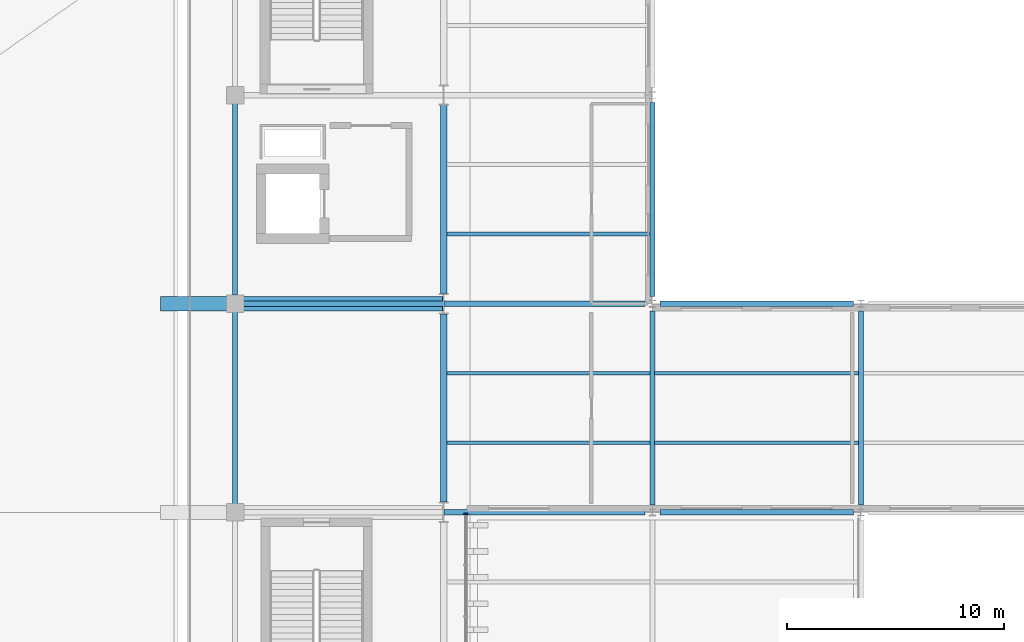
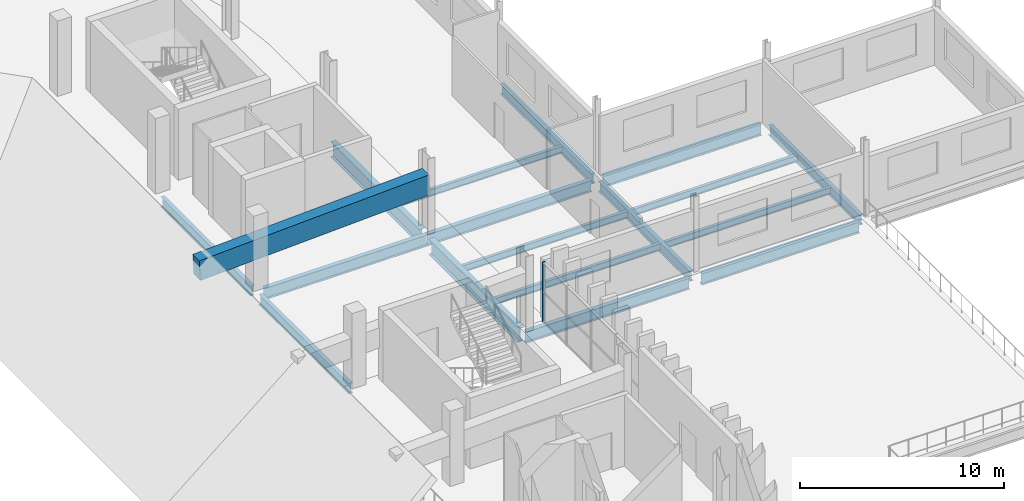
# One storey, part 23 of 69: 18 beams, 1 member, 1 element without a shape of its own.
"""IFC4 building model written with IfcOpenShell, lengths in metres."""

from ifc_helpers import new_model, si_unit, direction, frame, origin, origin_2d, place, context, subcontext, project, spatial, rectangle, i_section, extrude, material, layer, layer_set, material_profile, profile_set, type_object, element, aggregate, save


model = new_model("IFC4")

# Units and contexts
model_context = context("Model", 3, precision=1e-05, world=origin(), true_north=direction((0.0, 1.0)))
body_context = subcontext(model_context, "Body", "Model", "MODEL_VIEW")
ifc_project = project(units=[si_unit("LENGTHUNIT", "METRE"), si_unit("AREAUNIT", "SQUARE_METRE"), si_unit("VOLUMEUNIT", "CUBIC_METRE"), si_unit("PLANEANGLEUNIT", "RADIAN"), si_unit("MASSUNIT", "GRAM", prefix="KILO")], contexts=[model_context])

# Site, building, storey
site_placement = place(None, origin())
site = spatial("IfcSite", under=ifc_project, at=site_placement, CompositionType="ELEMENT")
building_placement = place(site_placement, origin())
building = spatial("IfcBuilding", under=site, at=building_placement, Name="Caelomonte Colonnade Arena", CompositionType="ELEMENT")
storey_placement = place(building_placement, frame((0.0, 0.0, 18.60009765625)))
storey = spatial("IfcBuildingStorey", under=building, at=storey_placement, Name="L04", CompositionType="ELEMENT", Elevation=18.60009765625)

# Curtain wall, member
ifc_material_1 = material(Name="Bronze anodised aluminium and low-E glazing", Category="aluminium")
ifc_layer = layer(ifc_material_1, 0.179931640625)
ifc_layer_set = layer_set([ifc_layer], Name="Bronze anodised aluminium and low-E glazing")
curtain_wall_type = type_object("IfcCurtainWallType", Name="ENV-CW-CW-L04-97-36", PredefinedType="USERDEFINED", material=ifc_layer_set)
curtain_wall_placement = place(storey_placement, origin())
curtain_wall = element("IfcCurtainWall", 1, at=curtain_wall_placement, inside=storey, type_object=curtain_wall_type, Name="L04 unitized curtain wall CW-L04-1642-0625", ObjectType="UNITIZED CURTAIN WALL", PredefinedType="USERDEFINED")
ifc_material_2 = material(Name="Bronze anodised aluminium AA6063-T6", Category="aluminium")
ifc_material_profile_1 = material_profile(ifc_material_2, rectangle(XDim=0.070068359375, YDim=0.179931640625, at=origin_2d()), Name="CWM-70X180")
ifc_profile_set_1 = profile_set([ifc_material_profile_1], Name="Bronze anodised aluminium AA6063-T6")
member_type = type_object("IfcMemberType", Name="ENV-CW-MULL1", PredefinedType="MULLION", material=ifc_profile_set_1)
member_placement = place(storey_placement, frame((164.219970703125, 67.125, 0.0), z_axis=(0.0, 0.0, 1.0), x_axis=(0.0, 1.0, 0.0)))
member = element("IfcMember", 2, at=member_placement, type_object=member_type, Name="CW-L04-97-36 mullion 5", PredefinedType="MULLION", context=body_context, shape_type="SweptSolid", body=[
    extrude(rectangle(XDim=0.070068359375, YDim=0.179931640625, at=origin_2d()), origin(), (0.0, 0.0, 1.0), 3.561767578125),
])
aggregate(curtain_wall, [member])

# Beams
ifc_material_3 = material(Name="Wide-flange steel ASTM A992 Grade 50", Category="steel")
ifc_material_profile_2 = material_profile(ifc_material_3, i_section(OverallWidth=0.307861328125, OverallDepth=0.927001953125, WebThickness=0.019287109375, FlangeThickness=0.031982421875, FilletRadius=0.020263671875, at=origin_2d()), Name="W36X194")
ifc_profile_set_2 = profile_set([ifc_material_profile_2], Name="Wide-flange steel ASTM A992 Grade 50")
beam_type_1 = type_object("IfcBeamType", Name="STR-BM-EAVES2", PredefinedType="SPANDREL", material=ifc_profile_set_2)
beam_1_placement = place(storey_placement, frame((163.199951171875, 67.665771484375, -0.7236328125), z_axis=(0.0, 1.0, 0.0), x_axis=(-1.0, 0.0, 0.0)))
element("IfcBeam", 3, at=beam_1_placement, inside=storey, type_object=beam_type_1, Name="L04 girder BMY-L04-1632-0672", PredefinedType="SPANDREL", context=body_context, shape_type="SweptSolid", body=[
    extrude(i_section(OverallWidth=0.307861328125, OverallDepth=0.927001953125, WebThickness=0.019287109375, FlangeThickness=0.031982421875, FilletRadius=0.020263671875, at=origin_2d()), origin(), (0.0, 0.0, 1.0), 8.66845703125),
])
beam_2_placement = place(storey_placement, frame((163.199951171875, 77.265625, -0.7236328125), z_axis=(0.0, 1.0, 0.0), x_axis=(-1.0, 0.0, 0.0)))
element("IfcBeam", 4, at=beam_2_placement, inside=storey, type_object=beam_type_1, Name="L04 girder BMY-L04-1632-0768", PredefinedType="SPANDREL", context=body_context, shape_type="SweptSolid", body=[
    extrude(i_section(OverallWidth=0.307861328125, OverallDepth=0.927001953125, WebThickness=0.019287109375, FlangeThickness=0.031982421875, FilletRadius=0.020263671875, at=origin_2d()), origin(), (0.0, 0.0, 1.0), 8.668701171875),
])
ifc_material_profile_3 = material_profile(ifc_material_3, i_section(OverallWidth=0.227783203125, OverallDepth=0.60205078125, WebThickness=0.010498046875, FlangeThickness=0.014892578125, FilletRadius=0.0126953125, at=origin_2d()), Name="W24X68")
ifc_profile_set_3 = profile_set([ifc_material_profile_3], Name="Wide-flange steel ASTM A992 Grade 50")
beam_type_2 = type_object("IfcBeamType", Name="STR-BM-GIRD24B", PredefinedType="SPANDREL", material=ifc_profile_set_3)
beam_3_placement = place(storey_placement, frame((153.60009765625, 67.592041015625, -0.56103515625), z_axis=(0.0, 1.0, 0.0), x_axis=(-1.0, 0.0, 0.0)))
element("IfcBeam", 5, at=beam_3_placement, inside=storey, type_object=beam_type_2, Name="L04 girder BMY-L04-1536-0672", PredefinedType="SPANDREL", context=body_context, shape_type="SweptSolid", body=[
    extrude(i_section(OverallWidth=0.227783203125, OverallDepth=0.60205078125, WebThickness=0.010498046875, FlangeThickness=0.014892578125, FilletRadius=0.0126953125, at=origin_2d()), origin(), (0.0, 0.0, 1.0), 8.81591796875),
])
beam_4_placement = place(storey_placement, frame((153.60009765625, 77.19189453125, -0.56103515625), z_axis=(0.0, 1.0, 0.0), x_axis=(-1.0, 0.0, 0.0)))
element("IfcBeam", 6, at=beam_4_placement, inside=storey, type_object=beam_type_2, Name="L04 girder BMY-L04-1536-0768", PredefinedType="SPANDREL", context=body_context, shape_type="SweptSolid", body=[
    extrude(i_section(OverallWidth=0.227783203125, OverallDepth=0.60205078125, WebThickness=0.010498046875, FlangeThickness=0.014892578125, FilletRadius=0.0126953125, at=origin_2d()), origin(), (0.0, 0.0, 1.0), 8.816162109375),
])
for number, where, z_axis, x_axis, name in (
    (7, (172.800048828125, 67.5419921875, -0.56103515625), (0.0, 1.0, 0.0), (-1.0, 0.0, 0.0), "L04 girder BMY-L04-1728-0672"),
    (8, (172.800048828125, 77.14208984375, -0.56103515625), (0.0, 1.0, 0.0), (-1.0, 0.0, 0.0), "L04 girder BMY-L04-1728-0768"),
    (9, (182.39990234375, 67.5419921875, -0.56103515625), (0.0, 1.0, 0.0), (-1.0, 0.0, 0.0), "L04 girder BMY-L04-1824-0672"),
):
    element("IfcBeam", number, at=place(storey_placement, frame(where, z_axis=z_axis, x_axis=x_axis)), inside=storey, type_object=beam_type_2, Name=name, PredefinedType="SPANDREL", context=body_context, shape_type="SweptSolid", body=[
        extrude(i_section(OverallWidth=0.227783203125, OverallDepth=0.60205078125, WebThickness=0.010498046875, FlangeThickness=0.014892578125, FilletRadius=0.0126953125, at=origin_2d()), origin(), (0.0, 0.0, 1.0), 8.916015625),
    ])
ifc_material_profile_4 = material_profile(ifc_material_3, i_section(OverallWidth=0.253662109375, OverallDepth=0.683349609375, WebThickness=0.012451171875, FlangeThickness=0.018798828125, FilletRadius=0.01513671875, at=origin_2d()), Name="W27X94")
ifc_profile_set_4 = profile_set([ifc_material_profile_4], Name="Wide-flange steel ASTM A992 Grade 50")
beam_type_3 = type_object("IfcBeamType", Name="STR-BM-GIRD27", PredefinedType="BEAM", material=ifc_profile_set_4)
beam_5_placement = place(storey_placement, frame((163.2119140625, 67.199951171875, -0.601806640625), z_axis=(1.0, 0.0, 0.0), x_axis=(0.0, 1.0, 0.0)))
element("IfcBeam", 10, at=beam_5_placement, inside=storey, type_object=beam_type_3, Name="L04 girder BMX-L04-1632-0672", PredefinedType="BEAM", context=body_context, shape_type="SweptSolid", body=[
    extrude(i_section(OverallWidth=0.253662109375, OverallDepth=0.683349609375, WebThickness=0.012451171875, FlangeThickness=0.018798828125, FilletRadius=0.01513671875, at=origin_2d()), origin(), (0.0, 0.0, 1.0), 9.24609375),
])
beam_6_placement = place(storey_placement, frame((173.14208984375, 67.199951171875, -0.601806640625), z_axis=(1.0, 0.0, 0.0), x_axis=(0.0, 1.0, 0.0)))
element("IfcBeam", 11, at=beam_6_placement, inside=storey, type_object=beam_type_3, Name="L04 girder BMX-L04-1728-0672", PredefinedType="BEAM", context=body_context, shape_type="SweptSolid", body=[
    extrude(i_section(OverallWidth=0.253662109375, OverallDepth=0.683349609375, WebThickness=0.012451171875, FlangeThickness=0.018798828125, FilletRadius=0.01513671875, at=origin_2d()), origin(), (0.0, 0.0, 1.0), 8.916015625),
])
beam_7_placement = place(storey_placement, frame((153.991943359375, 76.800048828125, -0.601806640625), z_axis=(1.0, 0.0, 0.0), x_axis=(0.0, 1.0, 0.0)))
element("IfcBeam", 12, at=beam_7_placement, inside=storey, type_object=beam_type_3, Name="L04 girder BMX-L04-1536-0768", PredefinedType="BEAM", context=body_context, shape_type="SweptSolid", body=[
    extrude(i_section(OverallWidth=0.253662109375, OverallDepth=0.683349609375, WebThickness=0.012451171875, FlangeThickness=0.018798828125, FilletRadius=0.01513671875, at=origin_2d()), origin(), (0.0, 0.0, 1.0), 9.196044921875),
])
beam_8_placement = place(storey_placement, frame((163.2119140625, 76.800048828125, -0.601806640625), z_axis=(1.0, 0.0, 0.0), x_axis=(0.0, 1.0, 0.0)))
element("IfcBeam", 13, at=beam_8_placement, inside=storey, type_object=beam_type_3, Name="L04 girder BMX-L04-1632-0768", PredefinedType="BEAM", context=body_context, shape_type="SweptSolid", body=[
    extrude(i_section(OverallWidth=0.253662109375, OverallDepth=0.683349609375, WebThickness=0.012451171875, FlangeThickness=0.018798828125, FilletRadius=0.01513671875, at=origin_2d()), origin(), (0.0, 0.0, 1.0), 9.24609375),
])
beam_9_placement = place(storey_placement, frame((173.14208984375, 76.800048828125, -0.601806640625), z_axis=(1.0, 0.0, 0.0), x_axis=(0.0, 1.0, 0.0)))
element("IfcBeam", 14, at=beam_9_placement, inside=storey, type_object=beam_type_3, Name="L04 girder BMX-L04-1728-0768", PredefinedType="BEAM", context=body_context, shape_type="SweptSolid", body=[
    extrude(i_section(OverallWidth=0.253662109375, OverallDepth=0.683349609375, WebThickness=0.012451171875, FlangeThickness=0.018798828125, FilletRadius=0.01513671875, at=origin_2d()), origin(), (0.0, 0.0, 1.0), 8.916015625),
])
ifc_material_profile_5 = material_profile(ifc_material_3, i_section(OverallWidth=0.177734375, OverallDepth=0.406494140625, WebThickness=0.0078125, FlangeThickness=0.0126953125, FilletRadius=0.01025390625, at=origin_2d()), Name="W16X40")
ifc_profile_set_5 = profile_set([ifc_material_profile_5], Name="Wide-flange steel ASTM A992 Grade 50")
beam_type_4 = type_object("IfcBeamType", Name="STR-BM-JOIST16", PredefinedType="JOIST", material=ifc_profile_set_5)
for number, where, z_axis, x_axis, name in (
    (15, (163.348876953125, 70.39990234375, -0.46337890625), (1.0, 0.0, 0.0), (0.0, 1.0, 0.0), "L04 secondary joist 1"),
    (16, (163.348876953125, 73.60009765625, -0.46337890625), (1.0, 0.0, 0.0), (0.0, 1.0, 0.0), "L04 secondary joist 2"),
    (17, (163.348876953125, 80.0, -0.46337890625), (1.0, 0.0, 0.0), (0.0, 1.0, 0.0), "L04 secondary joist 1"),
):
    element("IfcBeam", number, at=place(storey_placement, frame(where, z_axis=z_axis, x_axis=x_axis)), inside=storey, type_object=beam_type_4, Name=name, PredefinedType="JOIST", context=body_context, shape_type="SweptSolid", body=[
        extrude(i_section(OverallWidth=0.177734375, OverallDepth=0.406494140625, WebThickness=0.0078125, FlangeThickness=0.0126953125, FilletRadius=0.01025390625, at=origin_2d()), origin(), (0.0, 0.0, 1.0), 9.34228515625),
    ])
for number, where, z_axis, x_axis, name in (
    (18, (172.908935546875, 70.39990234375, -0.46337890625), (1.0, 0.0, 0.0), (0.0, 1.0, 0.0), "L04 secondary joist 1"),
    (19, (172.908935546875, 73.60009765625, -0.46337890625), (1.0, 0.0, 0.0), (0.0, 1.0, 0.0), "L04 secondary joist 2"),
):
    element("IfcBeam", number, at=place(storey_placement, frame(where, z_axis=z_axis, x_axis=x_axis)), inside=storey, type_object=beam_type_4, Name=name, PredefinedType="JOIST", context=body_context, shape_type="SweptSolid", body=[
        extrude(i_section(OverallWidth=0.177734375, OverallDepth=0.406494140625, WebThickness=0.0078125, FlangeThickness=0.0126953125, FilletRadius=0.01025390625, at=origin_2d()), origin(), (0.0, 0.0, 1.0), 9.382080078125),
    ])
ifc_material_4 = material(Name="Concrete C50/60", Category="concrete")
ifc_material_profile_6 = material_profile(ifc_material_4, rectangle(XDim=0.64990234375, YDim=1.199951171875, at=origin_2d()), Name="RC650X1200")
ifc_profile_set_6 = profile_set([ifc_material_profile_6], Name="Concrete C50/60")
beam_type_5 = type_object("IfcBeamType", Name="STR-BM-RKU", PredefinedType="USERDEFINED", material=ifc_profile_set_6)
beam_10_placement = place(storey_placement, frame((163.179931640625, 76.800048828125, 2.849853515625), z_axis=(-0.998933852291, 0.0, -0.046164474948), x_axis=(0.0, -1.0, 0.0)))
element("IfcBeam", 20, at=beam_10_placement, inside=storey, type_object=beam_type_5, Name="Upper bowl cantilevered raker girder E-76", ObjectType="RAKER", PredefinedType="USERDEFINED", context=body_context, shape_type="SweptSolid", body=[
    extrude(rectangle(XDim=0.64990234375, YDim=1.199951171875, at=origin_2d()), origin(), (0.0, 0.0, 1.0), 12.993896484375),
])

save(model, "model.ifc")
